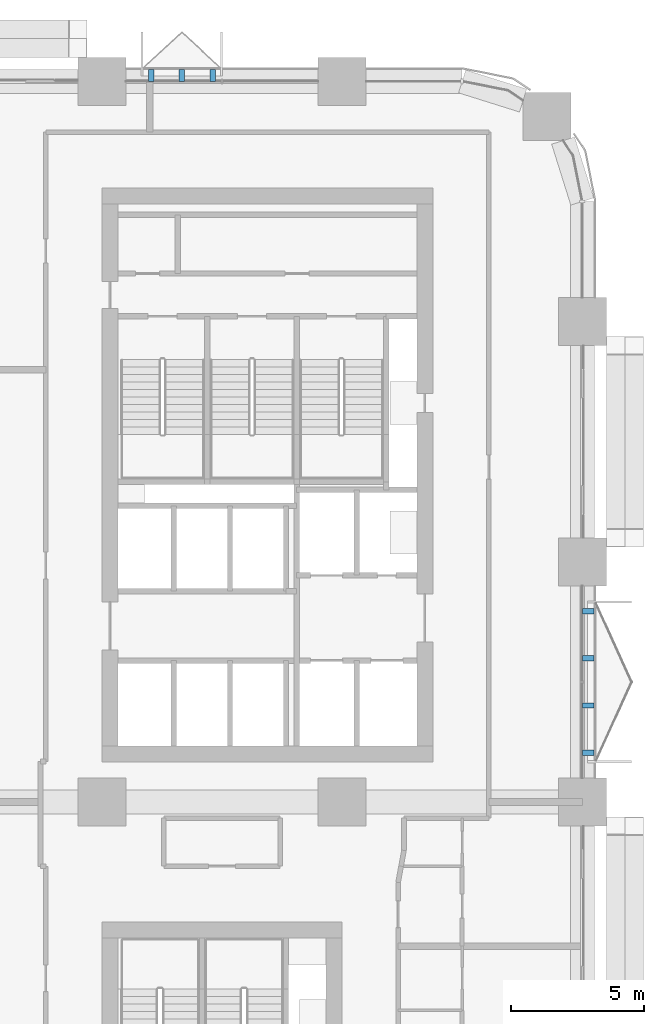
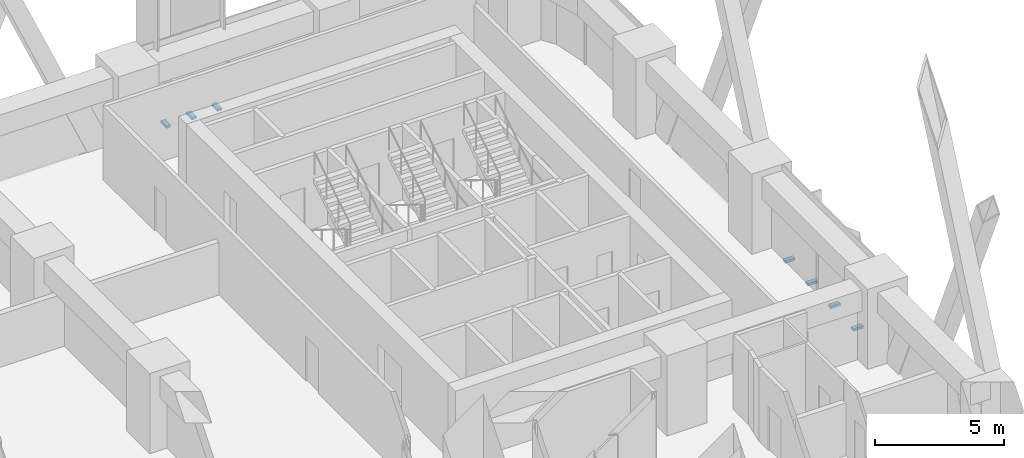
# One storey, part 21 of 24: 7 discrete accessories.
"""IFC4 building model written with IfcOpenShell, lengths in metres."""

from ifc_helpers import new_model, si_unit, direction, frame, origin, origin_2d, place, context, subcontext, project, spatial, rectangle, extrude, element, save


model = new_model("IFC4")

# Units and contexts
model_context = context("Model", 3, precision=1e-05, world=origin(), true_north=direction((0.0, 1.0)))
body_context = subcontext(model_context, "Body", "Model", "MODEL_VIEW")
ifc_project = project(units=[si_unit("LENGTHUNIT", "METRE"), si_unit("AREAUNIT", "SQUARE_METRE"), si_unit("VOLUMEUNIT", "CUBIC_METRE"), si_unit("PLANEANGLEUNIT", "RADIAN"), si_unit("MASSUNIT", "GRAM", prefix="KILO")], contexts=[model_context])

# Site, building, storey
site_placement = place(None, origin())
site = spatial("IfcSite", under=ifc_project, at=site_placement, CompositionType="ELEMENT")
building_placement = place(site_placement, origin())
building = spatial("IfcBuilding", under=site, at=building_placement, Name="Tessera Arch", CompositionType="ELEMENT")
storey_placement = place(building_placement, frame((0.0, 0.0, 61.39990234375)))
storey = spatial("IfcBuildingStorey", under=building, at=storey_placement, Name="L13", CompositionType="ELEMENT", Elevation=61.39990234375)

# Discrete accessories
for number, where, z_axis, x_axis, name in (
    (1, (40.14990234375, 54.219970703125, -0.119873046875), (0.0, 0.0, 1.0), (0.0, 1.0, 0.0), "Window box bracket"),
    (2, (39.0, 54.219970703125, -0.119873046875), (0.0, 0.0, 1.0), (0.0, 1.0, 0.0), "Window box bracket"),
    (3, (37.85009765625, 54.219970703125, -0.119873046875), (0.0, 0.0, 1.0), (0.0, 1.0, 0.0), "Window box bracket"),
    (4, (54.219970703125, 28.85009765625, -0.119873046875), (0.0, 0.0, 1.0), (1.0, 0.0, 0.0), "Window box bracket"),
    (5, (54.219970703125, 30.61669921875, -0.119873046875), (0.0, 0.0, 1.0), (1.0, 0.0, 0.0), "Window box bracket"),
    (6, (54.219970703125, 32.38330078125, -0.119873046875), (0.0, 0.0, 1.0), (1.0, 0.0, 0.0), "Window box bracket"),
    (7, (54.219970703125, 34.14990234375, -0.119873046875), (0.0, 0.0, 1.0), (1.0, 0.0, 0.0), "Window box bracket"),
):
    element("IfcDiscreteAccessory", number, at=place(storey_placement, frame(where, z_axis=z_axis, x_axis=x_axis)), inside=storey, Name=name, PredefinedType="BRACKET", context=body_context, shape_type="SweptSolid", body=[
        extrude(rectangle(XDim=0.43994140625, YDim=0.199951171875, at=origin_2d()), origin(), (0.0, 0.0, 1.0), 0.1201171875),
    ])

save(model, "model.ifc")
